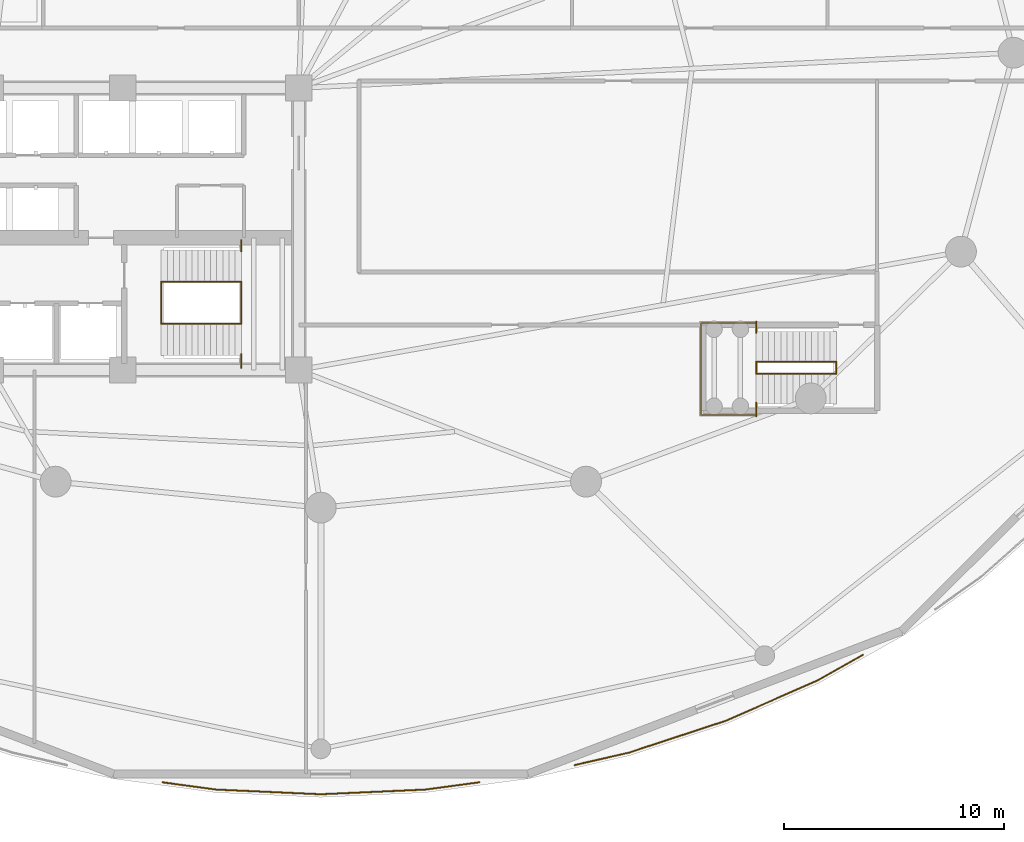
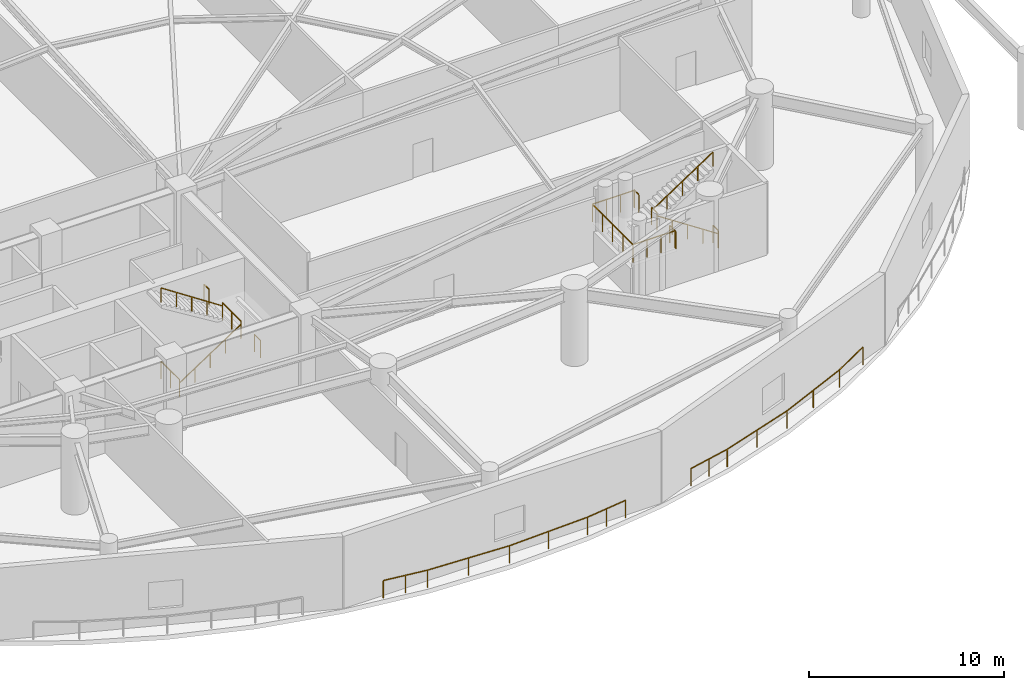
# One storey, part 36 of 40: 15 railings.
"""IFC4 building model written with IfcOpenShell, lengths in metres."""

from ifc_helpers import new_model, si_unit, direction, frame, origin, origin_2d, place, context, subcontext, project, spatial, rectangle, extrude, material, type_object, element, save


model = new_model("IFC4")

# Units and contexts
model_context = context("Model", 3, precision=1e-05, world=origin(), true_north=direction((0.0, 1.0)))
body_context = subcontext(model_context, "Body", "Model", "MODEL_VIEW")
ifc_project = project(units=[si_unit("LENGTHUNIT", "METRE"), si_unit("AREAUNIT", "SQUARE_METRE"), si_unit("VOLUMEUNIT", "CUBIC_METRE"), si_unit("PLANEANGLEUNIT", "RADIAN"), si_unit("MASSUNIT", "GRAM", prefix="KILO")], contexts=[model_context])

# Site, building, storey
site_placement = place(None, origin())
site = spatial("IfcSite", under=ifc_project, at=site_placement, CompositionType="ELEMENT")
building_placement = place(site_placement, origin())
building = spatial("IfcBuilding", under=site, at=building_placement, Name="Kazevale Care Tower and Concert Hall", CompositionType="ELEMENT")
storey_placement = place(building_placement, frame((0.0, 0.0, 9.60009765625)))
storey = spatial("IfcBuildingStorey", under=building, at=storey_placement, Name="L02", CompositionType="ELEMENT", Elevation=9.60009765625)

# Railings
ifc_material_1 = material(Name="Anodised Bronze Aluminium and Laminated Glass", Category="aluminium")
railing_type_1 = type_object("IfcRailingType", Name="Balcony and Terrace Balustrade 1120", PredefinedType="BALUSTRADE", material=ifc_material_1)
railing_1_placement = place(storey_placement, frame((52.18798828125, 4.882080078125, 0.0)))
element("IfcRailing", 1, at=railing_1_placement, inside=storey, type_object=railing_type_1, Name="rail:L02:perim:8", PredefinedType="BALUSTRADE", context=body_context, shape_type="SweptSolid", body=[
    extrude(rectangle(XDim=0.048095703125, YDim=0.048095703125, at=origin_2d()), frame((0.0, 0.0, 1.09619140625), z_axis=(-0.990987454457, -0.1339547129, 0.0), x_axis=(0.1339547129, -0.990987454457, 0.0)), (0.0, 0.0, 1.0), 2.464111328125),
    extrude(rectangle(XDim=0.048095703125, YDim=0.048095703125, at=origin_2d()), frame((-2.44189453125, -0.330078125, 1.09619140625), z_axis=(-0.999004667567, -0.044605763963, 0.0), x_axis=(0.044605763963, -0.999004667567, 0.0)), (0.0, 0.0, 1.0), 4.750732421875),
    extrude(rectangle(XDim=0.048095703125, YDim=0.048095703125, at=origin_2d()), frame((-7.18798828125, -0.5419921875, 1.09619140625), z_axis=(-0.999004667567, 0.044605763963, 0.0), x_axis=(-0.044605763963, -0.999004667567, 0.0)), (0.0, 0.0, 1.0), 4.750732421875),
    extrude(rectangle(XDim=0.048095703125, YDim=0.048095703125, at=origin_2d()), frame((-11.93408203125, -0.330078125, 1.09619140625), z_axis=(-0.990987454457, 0.1339547129, 0.0), x_axis=(-0.1339547129, -0.990987454457, 0.0)), (0.0, 0.0, 1.0), 2.464111328125),
    extrude(rectangle(XDim=0.0419921875, YDim=0.0419921875, at=origin_2d()), origin(), (0.0, 0.0, 1.0), 1.072021484375),
    extrude(rectangle(XDim=0.0419921875, YDim=0.0419921875, at=origin_2d()), frame((-1.220947265625, -0.1650390625, 0.0)), (0.0, 0.0, 1.0), 1.072021484375),
    extrude(rectangle(XDim=0.0419921875, YDim=0.0419921875, at=origin_2d()), frame((-2.44189453125, -0.330078125, 0.0)), (0.0, 0.0, 1.0), 1.072021484375),
    extrude(rectangle(XDim=0.0419921875, YDim=0.0419921875, at=origin_2d()), frame((-4.81494140625, -0.43603515625, 0.0)), (0.0, 0.0, 1.0), 1.072021484375),
    extrude(rectangle(XDim=0.0419921875, YDim=0.0419921875, at=origin_2d()), frame((-7.18798828125, -0.5419921875, 0.0)), (0.0, 0.0, 1.0), 1.072021484375),
    extrude(rectangle(XDim=0.0419921875, YDim=0.0419921875, at=origin_2d()), frame((-9.56103515625, -0.43603515625, 0.0)), (0.0, 0.0, 1.0), 1.072021484375),
    extrude(rectangle(XDim=0.0419921875, YDim=0.0419921875, at=origin_2d()), frame((-11.93408203125, -0.330078125, 0.0)), (0.0, 0.0, 1.0), 1.072021484375),
    extrude(rectangle(XDim=0.0419921875, YDim=0.0419921875, at=origin_2d()), frame((-13.155029296875, -0.1650390625, 0.0)), (0.0, 0.0, 1.0), 1.072021484375),
    extrude(rectangle(XDim=0.0419921875, YDim=0.0419921875, at=origin_2d()), frame((-14.3759765625, 0.0, 0.0)), (0.0, 0.0, 1.0), 1.072021484375),
])
railing_2_placement = place(storey_placement, frame((69.611083984375, 10.669921875, 0.0)))
element("IfcRailing", 2, at=railing_2_placement, inside=storey, type_object=railing_type_1, Name="rail:L02:perim:9", PredefinedType="BALUSTRADE", context=body_context, shape_type="SweptSolid", body=[
    extrude(rectangle(XDim=0.048095703125, YDim=0.048095703125, at=origin_2d()), frame((0.0, 0.0, 1.09619140625), z_axis=(-0.870864175029, -0.491523741696, 0.0), x_axis=(0.491523741696, -0.870864175029, 0.0)), (0.0, 0.0, 1.0), 2.36767578125),
    extrude(rectangle(XDim=0.048095703125, YDim=0.048095703125, at=origin_2d()), frame((-2.06201171875, -1.163818359375, 1.09619140625), z_axis=(-0.915470269762, -0.402385617514, 0.0), x_axis=(0.402385617514, -0.915470269762, 0.0)), (0.0, 0.0, 1.0), 4.543212890625),
    extrude(rectangle(XDim=0.048095703125, YDim=0.048095703125, at=origin_2d()), frame((-6.22119140625, -2.991943359375, 1.09619140625), z_axis=(-0.949817857606, -0.312803512405, 0.0), x_axis=(0.312803512405, -0.949817857606, 0.0)), (0.0, 0.0, 1.0), 4.622802734375),
    extrude(rectangle(XDim=0.048095703125, YDim=0.048095703125, at=origin_2d()), frame((-10.612060546875, -4.43798828125, 1.09619140625), z_axis=(-0.974740171393, -0.223341886518, 0.0), x_axis=(0.223341886518, -0.974740171393, 0.0)), (0.0, 0.0, 1.0), 2.538330078125),
    extrude(rectangle(XDim=0.0419921875, YDim=0.0419921875, at=origin_2d()), origin(), (0.0, 0.0, 1.0), 1.072021484375),
    extrude(rectangle(XDim=0.0419921875, YDim=0.0419921875, at=origin_2d()), frame((-2.06201171875, -1.163818359375, 0.0)), (0.0, 0.0, 1.0), 1.072021484375),
    extrude(rectangle(XDim=0.0419921875, YDim=0.0419921875, at=origin_2d()), frame((-4.1416015625, -2.077880859375, 0.0)), (0.0, 0.0, 1.0), 1.072021484375),
    extrude(rectangle(XDim=0.0419921875, YDim=0.0419921875, at=origin_2d()), frame((-6.22119140625, -2.991943359375, 0.0)), (0.0, 0.0, 1.0), 1.072021484375),
    extrude(rectangle(XDim=0.0419921875, YDim=0.0419921875, at=origin_2d()), frame((-8.41650390625, -3.71484375, 0.0)), (0.0, 0.0, 1.0), 1.072021484375),
    extrude(rectangle(XDim=0.0419921875, YDim=0.0419921875, at=origin_2d()), frame((-10.612060546875, -4.43798828125, 0.0)), (0.0, 0.0, 1.0), 1.072021484375),
    extrude(rectangle(XDim=0.0419921875, YDim=0.0419921875, at=origin_2d()), frame((-11.84912109375, -4.721435546875, 0.0)), (0.0, 0.0, 1.0), 1.072021484375),
    extrude(rectangle(XDim=0.0419921875, YDim=0.0419921875, at=origin_2d()), frame((-13.086181640625, -5.0048828125, 0.0)), (0.0, 0.0, 1.0), 1.072021484375),
])
ifc_material_2 = material(Name="Stainless Steel 316", Category="steel")
railing_type_2 = type_object("IfcRailingType", Name="Stair Pitch Handrail 920", PredefinedType="HANDRAIL", material=ifc_material_2)
railing_3_placement = place(storey_placement, frame((37.75, 25.699951171875, 0.0)))
element("IfcRailing", 3, at=railing_3_placement, inside=storey, type_object=railing_type_2, Name="stair:L02:ST2:hr1", PredefinedType="HANDRAIL", context=body_context, shape_type="SweptSolid", body=[
    extrude(rectangle(XDim=0.048095703125, YDim=0.048095703125, at=origin_2d()), frame((0.0, 0.0, 0.89599609375), z_axis=(0.834865213223, 0.0, 0.550454426587), x_axis=(0.0, 1.0, 0.0)), (0.0, 0.0, 1.0), 4.35986328125),
    extrude(rectangle(XDim=0.0419921875, YDim=0.0419921875, at=origin_2d()), origin(), (0.0, 0.0, 1.0), 0.871826171875),
    extrude(rectangle(XDim=0.0419921875, YDim=0.0419921875, at=origin_2d()), frame((0.909912109375, 0.0, 0.60009765625)), (0.0, 0.0, 1.0), 0.871826171875),
    extrude(rectangle(XDim=0.0419921875, YDim=0.0419921875, at=origin_2d()), frame((1.81982421875, 0.0, 1.199951171875)), (0.0, 0.0, 1.0), 0.871826171875),
    extrude(rectangle(XDim=0.0419921875, YDim=0.0419921875, at=origin_2d()), frame((2.72998046875, 0.0, 1.7998046875)), (0.0, 0.0, 1.0), 0.871826171875),
    extrude(rectangle(XDim=0.0419921875, YDim=0.0419921875, at=origin_2d()), frame((3.639892578125, 0.0, 2.39990234375)), (0.0, 0.0, 1.0), 0.871826171875),
])
for number, where, name in (
    (4, (41.389892578125, 27.60009765625, 2.39990234375), "stair:L02:ST2:hr2"),
    (5, (68.39990234375, 23.429931640625, 0.0), "stair:L02:ST3:hr1"),
):
    element("IfcRailing", number, at=place(storey_placement, frame(where)), inside=storey, type_object=railing_type_2, Name=name, PredefinedType="HANDRAIL", context=body_context, shape_type="SweptSolid", body=[
        extrude(rectangle(XDim=0.048095703125, YDim=0.048095703125, at=origin_2d()), frame((0.0, 0.0, 0.89599609375), z_axis=(-0.834865213223, 0.0, 0.550454426587), x_axis=(0.0, -1.0, 0.0)), (0.0, 0.0, 1.0), 4.35986328125),
        extrude(rectangle(XDim=0.0419921875, YDim=0.0419921875, at=origin_2d()), origin(), (0.0, 0.0, 1.0), 0.871826171875),
        extrude(rectangle(XDim=0.0419921875, YDim=0.0419921875, at=origin_2d()), frame((-0.909912109375, 0.0, 0.60009765625)), (0.0, 0.0, 1.0), 0.871826171875),
        extrude(rectangle(XDim=0.0419921875, YDim=0.0419921875, at=origin_2d()), frame((-1.81982421875, 0.0, 1.199951171875)), (0.0, 0.0, 1.0), 0.871826171875),
        extrude(rectangle(XDim=0.0419921875, YDim=0.0419921875, at=origin_2d()), frame((-2.72998046875, 0.0, 1.7998046875)), (0.0, 0.0, 1.0), 0.871826171875),
        extrude(rectangle(XDim=0.0419921875, YDim=0.0419921875, at=origin_2d()), frame((-3.639892578125, 0.0, 2.39990234375)), (0.0, 0.0, 1.0), 0.871826171875),
    ])
railing_4_placement = place(storey_placement, frame((64.760009765625, 23.969970703125, 2.39990234375)))
element("IfcRailing", 6, at=railing_4_placement, inside=storey, type_object=railing_type_2, Name="stair:L02:ST3:hr2", PredefinedType="HANDRAIL", context=body_context, shape_type="SweptSolid", body=[
    extrude(rectangle(XDim=0.048095703125, YDim=0.048095703125, at=origin_2d()), frame((0.0, 0.0, 0.89599609375), z_axis=(0.834865213223, 0.0, 0.550454426587), x_axis=(0.0, 1.0, 0.0)), (0.0, 0.0, 1.0), 4.35986328125),
    extrude(rectangle(XDim=0.0419921875, YDim=0.0419921875, at=origin_2d()), origin(), (0.0, 0.0, 1.0), 0.871826171875),
    extrude(rectangle(XDim=0.0419921875, YDim=0.0419921875, at=origin_2d()), frame((0.909912109375, 0.0, 0.60009765625)), (0.0, 0.0, 1.0), 0.871826171875),
    extrude(rectangle(XDim=0.0419921875, YDim=0.0419921875, at=origin_2d()), frame((1.81982421875, 0.0, 1.199951171875)), (0.0, 0.0, 1.0), 0.871826171875),
    extrude(rectangle(XDim=0.0419921875, YDim=0.0419921875, at=origin_2d()), frame((2.72998046875, 0.0, 1.7998046875)), (0.0, 0.0, 1.0), 0.871826171875),
    extrude(rectangle(XDim=0.0419921875, YDim=0.0419921875, at=origin_2d()), frame((3.639892578125, 0.0, 2.39990234375)), (0.0, 0.0, 1.0), 0.871826171875),
])
railing_type_3 = type_object("IfcRailingType", Name="Stair Well Guard Balustrade 1120", PredefinedType="BALUSTRADE", material=ifc_material_2)
railing_5_placement = place(storey_placement, frame((41.389892578125, 23.699951171875, 2.39990234375)))
element("IfcRailing", 7, at=railing_5_placement, inside=storey, type_object=railing_type_3, Name="stair:L02:ST2:grd_side1", PredefinedType="BALUSTRADE", context=body_context, shape_type="SweptSolid", body=[
    extrude(rectangle(XDim=0.048095703125, YDim=0.048095703125, at=origin_2d()), frame((0.0, 0.0, 1.09619140625), z_axis=(0.0, 1.0, 0.0), x_axis=(-1.0, 0.0, 0.0)), (0.0, 0.0, 1.0), 0.610107421875),
    extrude(rectangle(XDim=0.0419921875, YDim=0.0419921875, at=origin_2d()), origin(), (0.0, 0.0, 1.0), 1.072021484375),
    extrude(rectangle(XDim=0.0419921875, YDim=0.0419921875, at=origin_2d()), frame((0.0, 0.610107421875, 0.0)), (0.0, 0.0, 1.0), 1.072021484375),
])
railing_6_placement = place(storey_placement, frame((41.389892578125, 28.989990234375, 2.39990234375)))
element("IfcRailing", 8, at=railing_6_placement, inside=storey, type_object=railing_type_3, Name="stair:L02:ST2:grd_side2", PredefinedType="BALUSTRADE", context=body_context, shape_type="SweptSolid", body=[
    extrude(rectangle(XDim=0.048095703125, YDim=0.048095703125, at=origin_2d()), frame((0.0, 0.0, 1.09619140625), z_axis=(0.0, 1.0, 0.0), x_axis=(-1.0, 0.0, 0.0)), (0.0, 0.0, 1.0), 0.510009765625),
    extrude(rectangle(XDim=0.0419921875, YDim=0.0419921875, at=origin_2d()), origin(), (0.0, 0.0, 1.0), 1.072021484375),
    extrude(rectangle(XDim=0.0419921875, YDim=0.0419921875, at=origin_2d()), frame((0.0, 0.510009765625, 0.0)), (0.0, 0.0, 1.0), 1.072021484375),
])
for number, where, name in (
    (9, (41.389892578125, 25.699951171875, 2.39990234375), "stair:L02:ST2:grd_mid"),
    (10, (37.75, 25.699951171875, 0.0), "stair:L02:ST2:grd_flr"),
):
    element("IfcRailing", number, at=place(storey_placement, frame(where)), inside=storey, type_object=railing_type_3, Name=name, PredefinedType="BALUSTRADE", context=body_context, shape_type="SweptSolid", body=[
        extrude(rectangle(XDim=0.048095703125, YDim=0.048095703125, at=origin_2d()), frame((0.0, 0.0, 1.09619140625), z_axis=(0.0, 1.0, 0.0), x_axis=(-1.0, 0.0, 0.0)), (0.0, 0.0, 1.0), 1.900146484375),
        extrude(rectangle(XDim=0.0419921875, YDim=0.0419921875, at=origin_2d()), origin(), (0.0, 0.0, 1.0), 1.072021484375),
        extrude(rectangle(XDim=0.0419921875, YDim=0.0419921875, at=origin_2d()), frame((0.0, 0.9501953125, 0.0)), (0.0, 0.0, 1.0), 1.072021484375),
        extrude(rectangle(XDim=0.0419921875, YDim=0.0419921875, at=origin_2d()), frame((0.0, 1.900146484375, 0.0)), (0.0, 0.0, 1.0), 1.072021484375),
    ])
railing_7_placement = place(storey_placement, frame((64.760009765625, 21.5, 2.39990234375)))
element("IfcRailing", 11, at=railing_7_placement, inside=storey, type_object=railing_type_3, Name="stair:L02:ST3:grd_side1", PredefinedType="BALUSTRADE", context=body_context, shape_type="SweptSolid", body=[
    extrude(rectangle(XDim=0.048095703125, YDim=0.048095703125, at=origin_2d()), frame((0.0, 0.0, 1.09619140625), z_axis=(0.0, 1.0, 0.0), x_axis=(-1.0, 0.0, 0.0)), (0.0, 0.0, 1.0), 0.610107421875),
    extrude(rectangle(XDim=0.0419921875, YDim=0.0419921875, at=origin_2d()), origin(), (0.0, 0.0, 1.0), 1.072021484375),
    extrude(rectangle(XDim=0.0419921875, YDim=0.0419921875, at=origin_2d()), frame((0.0, 0.610107421875, 0.0)), (0.0, 0.0, 1.0), 1.072021484375),
])
railing_8_placement = place(storey_placement, frame((64.760009765625, 25.2900390625, 2.39990234375)))
element("IfcRailing", 12, at=railing_8_placement, inside=storey, type_object=railing_type_3, Name="stair:L02:ST3:grd_side2", PredefinedType="BALUSTRADE", context=body_context, shape_type="SweptSolid", body=[
    extrude(rectangle(XDim=0.048095703125, YDim=0.048095703125, at=origin_2d()), frame((0.0, 0.0, 1.09619140625), z_axis=(0.0, 1.0, 0.0), x_axis=(-1.0, 0.0, 0.0)), (0.0, 0.0, 1.0), 0.510009765625),
    extrude(rectangle(XDim=0.0419921875, YDim=0.0419921875, at=origin_2d()), origin(), (0.0, 0.0, 1.0), 1.072021484375),
    extrude(rectangle(XDim=0.0419921875, YDim=0.0419921875, at=origin_2d()), frame((0.0, 0.510009765625, 0.0)), (0.0, 0.0, 1.0), 1.072021484375),
])
railing_9_placement = place(storey_placement, frame((64.760009765625, 21.56005859375, 2.39990234375)))
element("IfcRailing", 13, at=railing_9_placement, inside=storey, type_object=railing_type_3, Name="stair:L02:ST3:grd_far", PredefinedType="BALUSTRADE", context=body_context, shape_type="SweptSolid", body=[
    extrude(rectangle(XDim=0.048095703125, YDim=0.048095703125, at=origin_2d()), frame((0.0, 0.0, 1.09619140625), z_axis=(-1.0, 0.0, 0.0), x_axis=(0.0, -1.0, 0.0)), (0.0, 0.0, 1.0), 2.5),
    extrude(rectangle(XDim=0.048095703125, YDim=0.048095703125, at=origin_2d()), frame((-2.5, 0.0, 1.09619140625), z_axis=(0.0, 1.0, 0.0), x_axis=(-1.0, 0.0, 0.0)), (0.0, 0.0, 1.0), 4.179931640625),
    extrude(rectangle(XDim=0.048095703125, YDim=0.048095703125, at=origin_2d()), frame((-2.5, 4.179931640625, 1.09619140625), z_axis=(1.0, 0.0, 0.0), x_axis=(0.0, 1.0, 0.0)), (0.0, 0.0, 1.0), 2.5),
    extrude(rectangle(XDim=0.0419921875, YDim=0.0419921875, at=origin_2d()), origin(), (0.0, 0.0, 1.0), 1.072021484375),
    extrude(rectangle(XDim=0.0419921875, YDim=0.0419921875, at=origin_2d()), frame((-0.833251953125, 0.0, 0.0)), (0.0, 0.0, 1.0), 1.072021484375),
    extrude(rectangle(XDim=0.0419921875, YDim=0.0419921875, at=origin_2d()), frame((-1.666748046875, 0.0, 0.0)), (0.0, 0.0, 1.0), 1.072021484375),
    extrude(rectangle(XDim=0.0419921875, YDim=0.0419921875, at=origin_2d()), frame((-2.5, 0.0, 0.0)), (0.0, 0.0, 1.0), 1.072021484375),
    extrude(rectangle(XDim=0.0419921875, YDim=0.0419921875, at=origin_2d()), frame((-2.5, 1.044921875, 0.0)), (0.0, 0.0, 1.0), 1.072021484375),
    extrude(rectangle(XDim=0.0419921875, YDim=0.0419921875, at=origin_2d()), frame((-2.5, 2.08984375, 0.0)), (0.0, 0.0, 1.0), 1.072021484375),
    extrude(rectangle(XDim=0.0419921875, YDim=0.0419921875, at=origin_2d()), frame((-2.5, 3.135009765625, 0.0)), (0.0, 0.0, 1.0), 1.072021484375),
    extrude(rectangle(XDim=0.0419921875, YDim=0.0419921875, at=origin_2d()), frame((-2.5, 4.179931640625, 0.0)), (0.0, 0.0, 1.0), 1.072021484375),
    extrude(rectangle(XDim=0.0419921875, YDim=0.0419921875, at=origin_2d()), frame((-1.666748046875, 4.179931640625, 0.0)), (0.0, 0.0, 1.0), 1.072021484375),
    extrude(rectangle(XDim=0.0419921875, YDim=0.0419921875, at=origin_2d()), frame((-0.833251953125, 4.179931640625, 0.0)), (0.0, 0.0, 1.0), 1.072021484375),
    extrude(rectangle(XDim=0.0419921875, YDim=0.0419921875, at=origin_2d()), frame((0.0, 4.179931640625, 0.0)), (0.0, 0.0, 1.0), 1.072021484375),
])
for number, where, name in (
    (14, (64.760009765625, 23.429931640625, 2.39990234375), "stair:L02:ST3:grd_mid"),
    (15, (68.39990234375, 23.429931640625, 0.0), "stair:L02:ST3:grd_flr"),
):
    element("IfcRailing", number, at=place(storey_placement, frame(where)), inside=storey, type_object=railing_type_3, Name=name, PredefinedType="BALUSTRADE", context=body_context, shape_type="SweptSolid", body=[
        extrude(rectangle(XDim=0.048095703125, YDim=0.048095703125, at=origin_2d()), frame((0.0, 0.0, 1.09619140625), z_axis=(0.0, 1.0, 0.0), x_axis=(-1.0, 0.0, 0.0)), (0.0, 0.0, 1.0), 0.5400390625),
        extrude(rectangle(XDim=0.0419921875, YDim=0.0419921875, at=origin_2d()), origin(), (0.0, 0.0, 1.0), 1.072021484375),
        extrude(rectangle(XDim=0.0419921875, YDim=0.0419921875, at=origin_2d()), frame((0.0, 0.5400390625, 0.0)), (0.0, 0.0, 1.0), 1.072021484375),
    ])

save(model, "model.ifc")
